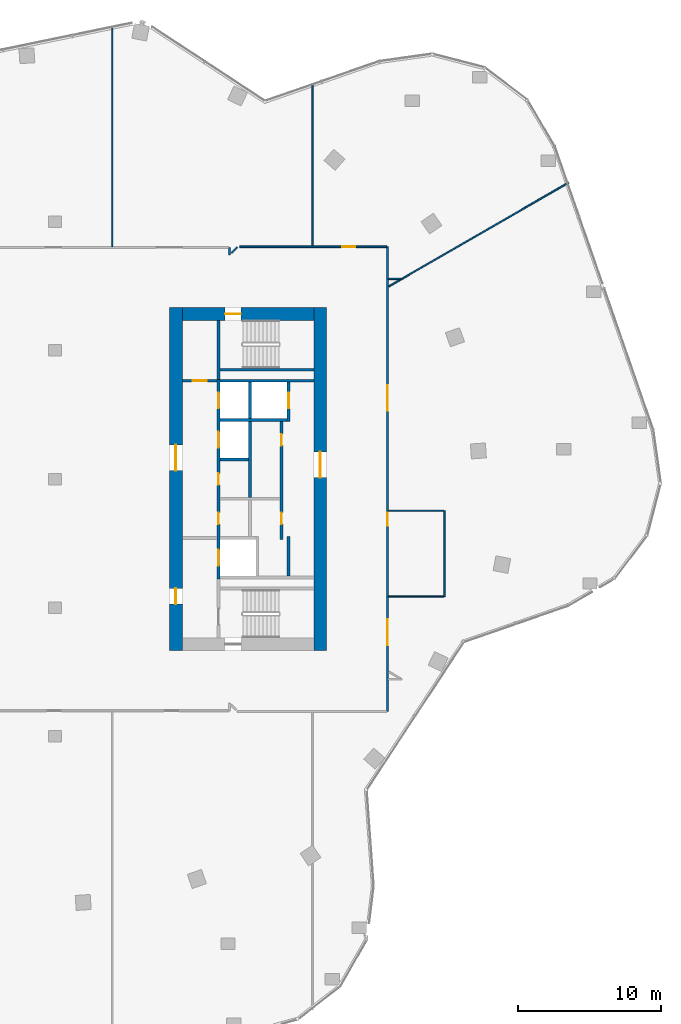
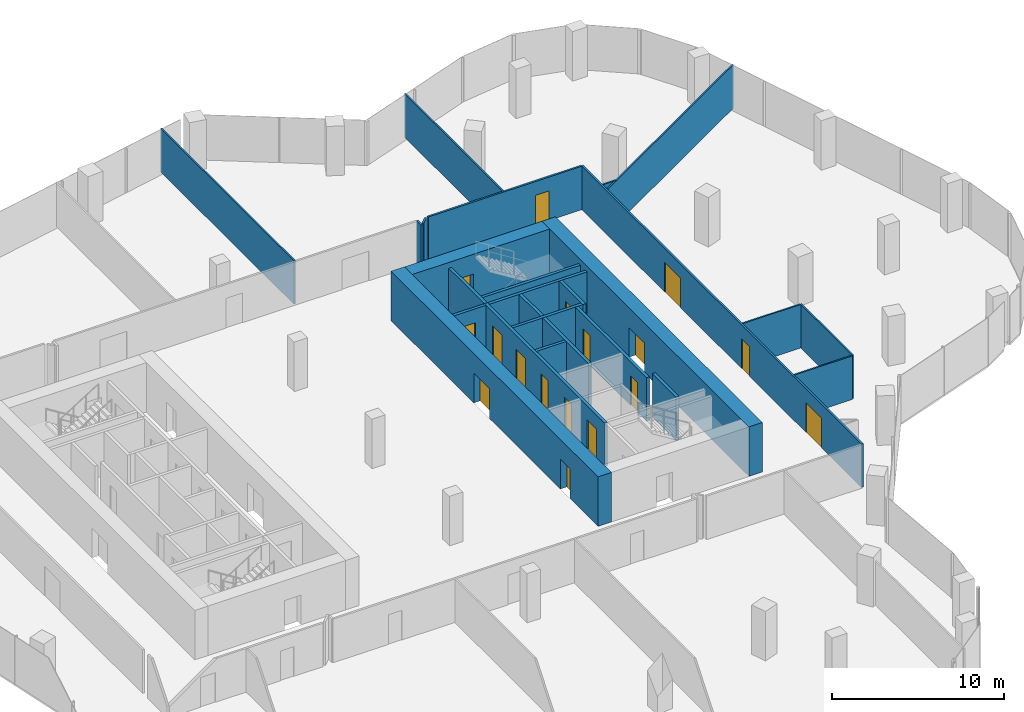
# One storey, part 20 of 24: 26 walls, 17 doors, 17 openings.
"""IFC4 building model written with IfcOpenShell, lengths in metres."""

from ifc_helpers import new_model, si_unit, direction, frame, frame_2d, origin, place, context, subcontext, project, spatial, rectangle, extrude, material, layer, layer_set, type_object, element, fill, save


model = new_model("IFC4")

# Units and contexts
model_context = context("Model", 3, precision=1e-05, world=origin(), true_north=direction((0.0, 1.0)))
body_context = subcontext(model_context, "Body", "Model", "MODEL_VIEW")
ifc_project = project(units=[si_unit("LENGTHUNIT", "METRE"), si_unit("AREAUNIT", "SQUARE_METRE"), si_unit("VOLUMEUNIT", "CUBIC_METRE"), si_unit("PLANEANGLEUNIT", "RADIAN"), si_unit("MASSUNIT", "GRAM", prefix="KILO")], contexts=[model_context])

# Site, building, storey
site_placement = place(None, origin())
site = spatial("IfcSite", under=ifc_project, at=site_placement, CompositionType="ELEMENT")
building_placement = place(site_placement, origin())
building = spatial("IfcBuilding", under=site, at=building_placement, Name="Orlundy Tower", CompositionType="ELEMENT")
storey_placement = place(building_placement, frame((0.0, 0.0, 235.5)))
storey = spatial("IfcBuildingStorey", under=building, at=storey_placement, Name="L62", CompositionType="ELEMENT", Elevation=235.5)

# Wall, opening, door
ifc_material_1 = material(Name="Concrete C60/75", Category="concrete")
ifc_layer_1 = layer(ifc_material_1, 0.89990234375)
ifc_layer_set_1 = layer_set([ifc_layer_1], Name="CORE WALL 900 C60/75")
wall_type_1 = type_object("IfcWallType", Name="CORE WALL 900 C60/75", PredefinedType="SHEAR", material=ifc_layer_set_1)
wall_1_placement = place(storey_placement, frame((8.89990234375, 11.550048828125, 0.0), z_axis=(0.0, 0.0, 1.0), x_axis=(1.0, 0.0, 0.0)))
wall_1 = element("IfcWall", 1, at=wall_1_placement, inside=storey, type_object=wall_type_1, Name="Core wall E-N L62", PredefinedType="SHEAR", context=body_context, shape_type="SweptSolid", body=[
    extrude(rectangle(XDim=9.2001953125, YDim=0.89990234375, at=frame_2d((4.60009765625, 0.0))), origin(), (0.0, 0.0, 1.0), 3.5),
])
opening_1_placement = place(wall_1_placement, frame((3.0, 0.0, 0.0)))
opening_1 = element("IfcOpeningElement", 2, at=opening_1_placement, cuts=wall_1, Name="Opening 48062", PredefinedType="OPENING", context=body_context, shape_type="SweptSolid", body=[
    extrude(rectangle(XDim=1.10009765625, YDim=2.10009765625, at=frame_2d((0.550048828125, 1.050048828125))), frame((0.0, 0.4599609375, 0.0), z_axis=(0.0, -1.0, 0.0), x_axis=(1.0, 0.0, 0.0)), (0.0, 0.0, 1.0), 0.919921875),
])
ifc_material_2 = material(Name="Steel door set", Category="steel")
door_type_1 = type_object("IfcDoorType", Name="Stair Door 1100x2100", OperationType="SINGLE_SWING_LEFT", PredefinedType="DOOR", material=ifc_material_2)
door_1_placement = place(opening_1_placement, origin())
door_1 = element("IfcDoor", 3, at=door_1_placement, inside=storey, type_object=door_type_1, Name="Stair door 48062", OperationType="SINGLE_SWING_LEFT", OverallHeight=2.10009765625, OverallWidth=1.10009765625, PredefinedType="DOOR", context=body_context, shape_type="SweptSolid", body=[
    extrude(rectangle(XDim=1.10009765625, YDim=2.10009765625, at=frame_2d((0.550048828125, 1.050048828125))), frame((0.0, 0.02490234375, 0.0), z_axis=(0.0, -1.0, 0.0), x_axis=(1.0, 0.0, 0.0)), (0.0, 0.0, 1.0), 0.050048828125),
])
fill(opening_1, door_1)

# Wall, openings, doors
wall_2_placement = place(storey_placement, frame((8.449951171875, -12.0, 0.0), z_axis=(0.0, 0.0, 1.0), x_axis=(0.0, 1.0, 0.0)))
wall_2 = element("IfcWall", 4, at=wall_2_placement, inside=storey, type_object=wall_type_1, Name="Core wall E-W L62", PredefinedType="SHEAR", context=body_context, shape_type="SweptSolid", body=[
    extrude(rectangle(XDim=24.0, YDim=0.89990234375, at=frame_2d((12.0, 0.0))), origin(), (0.0, 0.0, 1.0), 3.5),
])
opening_2_placement = place(wall_2_placement, frame((12.60009765625, 0.0, 0.0)))
opening_2 = element("IfcOpeningElement", 5, at=opening_2_placement, cuts=wall_2, Name="Opening 48058", PredefinedType="OPENING", context=body_context, shape_type="SweptSolid", body=[
    extrude(rectangle(XDim=1.800048828125, YDim=2.10009765625, at=frame_2d((0.89990234375, 1.050048828125))), frame((0.0, 0.4599609375, 0.0), z_axis=(0.0, -1.0, 0.0), x_axis=(1.0, 0.0, 0.0)), (0.0, 0.0, 1.0), 0.919921875),
])
opening_3_placement = place(wall_2_placement, frame((3.25, 0.0, 0.0)))
opening_3 = element("IfcOpeningElement", 6, at=opening_3_placement, cuts=wall_2, Name="Opening 48060", PredefinedType="OPENING", context=body_context, shape_type="SweptSolid", body=[
    extrude(rectangle(XDim=1.10009765625, YDim=2.10009765625, at=frame_2d((0.550048828125, 1.050048828125))), frame((0.0, 0.4599609375, 0.0), z_axis=(0.0, -1.0, 0.0), x_axis=(1.0, 0.0, 0.0)), (0.0, 0.0, 1.0), 0.919921875),
])
ifc_material_3 = material(Name="Steel door set", Category="steel")
door_type_2 = type_object("IfcDoorType", Name="Fire-fighting Lobby Door 1100x2100", OperationType="SINGLE_SWING_LEFT", PredefinedType="DOOR", material=ifc_material_3)
door_2_placement = place(opening_3_placement, origin())
door_2 = element("IfcDoor", 7, at=door_2_placement, inside=storey, type_object=door_type_2, Name="Fire-fighting lobby door 48060", OperationType="SINGLE_SWING_LEFT", OverallHeight=2.10009765625, OverallWidth=1.10009765625, PredefinedType="DOOR", context=body_context, shape_type="SweptSolid", body=[
    extrude(rectangle(XDim=1.10009765625, YDim=2.10009765625, at=frame_2d((0.550048828125, 1.050048828125))), frame((0.0, 0.02490234375, 0.0), z_axis=(0.0, -1.0, 0.0), x_axis=(1.0, 0.0, 0.0)), (0.0, 0.0, 1.0), 0.050048828125),
])
fill(opening_3, door_2)
ifc_material_4 = material(Name="Timber door set", Category="wood")
door_type_3 = type_object("IfcDoorType", Name="Lobby Door 1800x2100", OperationType="DOUBLE_DOOR_DOUBLE_SWING", PredefinedType="DOOR", material=ifc_material_4)
door_3_placement = place(opening_2_placement, origin())
door_3 = element("IfcDoor", 8, at=door_3_placement, inside=storey, type_object=door_type_3, Name="Lift lobby door 48058", OperationType="SINGLE_SWING_RIGHT", OverallHeight=2.10009765625, OverallWidth=1.800048828125, PredefinedType="DOOR", context=body_context, shape_type="SweptSolid", body=[
    extrude(rectangle(XDim=1.800048828125, YDim=2.10009765625, at=frame_2d((0.89990234375, 1.050048828125))), frame((0.0, 0.02490234375, 0.0), z_axis=(0.0, -1.0, 0.0), x_axis=(1.0, 0.0, 0.0)), (0.0, 0.0, 1.0), 0.050048828125),
])
fill(opening_2, door_3)

# Wall, opening, door
wall_3_placement = place(storey_placement, frame((18.550048828125, -12.0, 0.0), z_axis=(0.0, 0.0, 1.0), x_axis=(0.0, 1.0, 0.0)))
wall_3 = element("IfcWall", 9, at=wall_3_placement, inside=storey, type_object=wall_type_1, Name="Core wall E-E L62", PredefinedType="SHEAR", context=body_context, shape_type="SweptSolid", body=[
    extrude(rectangle(XDim=24.0, YDim=0.89990234375, at=frame_2d((12.0, 0.0))), origin(), (0.0, 0.0, 1.0), 3.5),
])
opening_4_placement = place(wall_3_placement, frame((12.10009765625, 0.0, 0.0)))
opening_4 = element("IfcOpeningElement", 10, at=opening_4_placement, cuts=wall_3, Name="Opening 48059", PredefinedType="OPENING", context=body_context, shape_type="SweptSolid", body=[
    extrude(rectangle(XDim=1.800048828125, YDim=2.10009765625, at=frame_2d((0.89990234375, 1.050048828125))), frame((0.0, 0.4599609375, 0.0), z_axis=(0.0, -1.0, 0.0), x_axis=(1.0, 0.0, 0.0)), (0.0, 0.0, 1.0), 0.919921875),
])
door_4_placement = place(opening_4_placement, origin())
door_4 = element("IfcDoor", 11, at=door_4_placement, inside=storey, type_object=door_type_3, Name="Lift lobby door 48059", OperationType="SINGLE_SWING_RIGHT", OverallHeight=2.10009765625, OverallWidth=1.800048828125, PredefinedType="DOOR", context=body_context, shape_type="SweptSolid", body=[
    extrude(rectangle(XDim=1.800048828125, YDim=2.10009765625, at=frame_2d((0.89990234375, 1.050048828125))), frame((0.0, 0.02490234375, 0.0), z_axis=(0.0, -1.0, 0.0), x_axis=(1.0, 0.0, 0.0)), (0.0, 0.0, 1.0), 0.050048828125),
])
fill(opening_4, door_4)

# Walls
ifc_material_5 = material(Name="Gypsum board partition")
ifc_layer_2 = layer(ifc_material_5, 0.10009765625)
ifc_layer_set_2 = layer_set([ifc_layer_2], Name="Floor partition 100")
wall_type_2 = type_object("IfcWallType", Name="Floor partition 100", PredefinedType="PARTITIONING", material=ifc_layer_set_2)
for number, where, z_axis, x_axis, name in (
    (12, (23.31396484375, -8.212890625, 0.0), (0.0, 0.0, 1.0), (1.0, 0.0, 0.0), "wall-int-L62-010"),
    (13, (23.31396484375, -2.2119140625, 0.0), (0.0, 0.0, 1.0), (1.0, 0.0, 0.0), "wall-int-L62-011"),
):
    element("IfcWall", number, at=place(storey_placement, frame(where, z_axis=z_axis, x_axis=x_axis)), inside=storey, type_object=wall_type_2, Name=name, PredefinedType="PARTITIONING", context=body_context, shape_type="SweptSolid", body=[
        extrude(rectangle(XDim=3.885009765625, YDim=0.10009765625, at=frame_2d((1.9423828125, 0.0))), origin(), (0.0, 0.0, 1.0), 3.080078125),
    ])
wall_4_placement = place(storey_placement, frame((23.31396484375, 14.0, 0.0), z_axis=(0.0, 0.0, 1.0), x_axis=(1.0, 0.0, 0.0)))
element("IfcWall", 14, at=wall_4_placement, inside=storey, type_object=wall_type_2, Name="wall-int-L62-015", PredefinedType="PARTITIONING", context=body_context, shape_type="SweptSolid", body=[
    extrude(rectangle(XDim=0.885009765625, YDim=0.10009765625, at=frame_2d((0.4423828125, 0.0))), origin(), (0.0, 0.0, 1.0), 3.080078125),
])
wall_5_placement = place(storey_placement, frame((23.337890625, 13.47412109375, 0.0), z_axis=(0.0, 0.0, 1.0), x_axis=(0.866095287821, 0.499878937759, 0.0)))
element("IfcWall", 15, at=wall_5_placement, inside=storey, type_object=wall_type_2, Name="wall-int-L62-019", PredefinedType="PARTITIONING", context=body_context, shape_type="SweptSolid", body=[
    extrude(rectangle(XDim=14.541015625, YDim=0.10009765625, at=frame_2d((7.2705078125, 0.0))), origin(), (0.0, 0.0, 1.0), 3.080078125),
])
wall_6_placement = place(storey_placement, frame((27.2490234375, -8.212890625, 0.0), z_axis=(0.0, 0.0, 1.0), x_axis=(0.0, 1.0, 0.0)))
element("IfcWall", 16, at=wall_6_placement, inside=storey, type_object=wall_type_2, Name="wall-int-L62-023", PredefinedType="PARTITIONING", context=body_context, shape_type="SweptSolid", body=[
    extrude(rectangle(XDim=6.0009765625, YDim=0.10009765625, at=frame_2d((3.00048828125, 0.0))), origin(), (0.0, 0.0, 1.0), 3.080078125),
])
wall_7_placement = place(storey_placement, frame((18.0, 16.31201171875, 0.0), z_axis=(0.0, 0.0, 1.0), x_axis=(0.0, 1.0, 0.0)))
element("IfcWall", 17, at=wall_7_placement, inside=storey, type_object=wall_type_2, Name="wall-int-L62-026", PredefinedType="PARTITIONING", context=body_context, shape_type="SweptSolid", body=[
    extrude(rectangle(XDim=11.383056640625, YDim=0.10009765625, at=frame_2d((5.69140625, 0.0))), origin(), (0.0, 0.0, 1.0), 3.080078125),
])
wall_8_placement = place(storey_placement, frame((4.0, 16.261962890625, 0.0), z_axis=(0.0, 0.0, 1.0), x_axis=(0.0, 1.0, 0.0)))
element("IfcWall", 18, at=wall_8_placement, inside=storey, type_object=wall_type_2, Name="wall-int-L62-030", PredefinedType="PARTITIONING", context=body_context, shape_type="SweptSolid", body=[
    extrude(rectangle(XDim=15.4521484375, YDim=0.10009765625, at=frame_2d((7.72607421875, 0.0))), origin(), (0.0, 0.0, 1.0), 3.080078125),
])

# Wall, opening, door
ifc_material_6 = material(Name="Gypsum board partition, double layer")
ifc_layer_3 = layer(ifc_material_6, 0.125)
ifc_layer_set_3 = layer_set([ifc_layer_3], Name="Floor partition 125")
wall_type_3 = type_object("IfcWallType", Name="Floor partition 125", PredefinedType="PARTITIONING", material=ifc_layer_set_3)
wall_9_placement = place(storey_placement, frame((12.909912109375, 16.25, 0.0), z_axis=(0.0, 0.0, 1.0), x_axis=(1.0, 0.0, 0.0)))
wall_9 = element("IfcWall", 19, at=wall_9_placement, inside=storey, type_object=wall_type_3, Name="wall-int-L62-018", PredefinedType="PARTITIONING", context=body_context, shape_type="SweptSolid", body=[
    extrude(rectangle(XDim=10.279052734375, YDim=0.125, at=frame_2d((5.1396484375, 0.0))), origin(), (0.0, 0.0, 1.0), 3.080078125),
])
opening_5_placement = place(wall_9_placement, frame((7.190185546875, 0.0, 0.0)))
opening_5 = element("IfcOpeningElement", 20, at=opening_5_placement, cuts=wall_9, Name="Opening 48107", PredefinedType="OPENING", context=body_context, shape_type="SweptSolid", body=[
    extrude(rectangle(XDim=0.89990234375, YDim=2.10009765625, at=frame_2d((0.449951171875, 1.050048828125))), frame((0.0, 0.072509765625, 0.0), z_axis=(0.0, -1.0, 0.0), x_axis=(1.0, 0.0, 0.0)), (0.0, 0.0, 1.0), 0.14501953125),
])
ifc_material_7 = material(Name="Timber door leaf", Category="wood")
door_type_4 = type_object("IfcDoorType", Name="Floor door single 900 FD30S", OperationType="NOTDEFINED", PredefinedType="DOOR", material=ifc_material_7)
door_5_placement = place(opening_5_placement, origin())
door_5 = element("IfcDoor", 21, at=door_5_placement, inside=storey, type_object=door_type_4, Name="Door 48107", OperationType="SINGLE_SWING_RIGHT", OverallHeight=2.10009765625, OverallWidth=0.89990234375, PredefinedType="DOOR", context=body_context, shape_type="SweptSolid", body=[
    extrude(rectangle(XDim=0.89990234375, YDim=2.10009765625, at=frame_2d((0.449951171875, 1.050048828125))), frame((0.0, 0.02490234375, 0.0), z_axis=(0.0, -1.0, 0.0), x_axis=(1.0, 0.0, 0.0)), (0.0, 0.0, 1.0), 0.050048828125),
])
fill(opening_5, door_5)

# Wall
wall_10_placement = place(storey_placement, frame((12.3291015625, 15.806884765625, 0.0), z_axis=(0.0, 0.0, 1.0), x_axis=(0.706903150737, 0.707310353012, 0.0)))
element("IfcWall", 22, at=wall_10_placement, inside=storey, type_object=wall_type_3, Name="wall-int-L62-021", PredefinedType="PARTITIONING", context=body_context, shape_type="SweptSolid", body=[
    extrude(rectangle(XDim=0.599609375, YDim=0.125, at=frame_2d((0.2998046875, 0.0))), origin(), (0.0, 0.0, 1.0), 3.080078125),
])

# Wall, openings, doors
wall_11_placement = place(storey_placement, frame((23.2509765625, 16.25, 0.0), z_axis=(0.0, 0.0, 1.0), x_axis=(0.0, -1.0, 0.0)))
wall_11 = element("IfcWall", 23, at=wall_11_placement, inside=storey, type_object=wall_type_3, Name="wall-int-L62-024", PredefinedType="PARTITIONING", context=body_context, shape_type="SweptSolid", body=[
    extrude(rectangle(XDim=32.5, YDim=0.125, at=frame_2d((16.25, 0.0))), origin(), (0.0, 0.0, 1.0), 3.080078125),
])
opening_6_placement = place(wall_11_placement, frame((26.06298828125, 0.0, 0.0)))
opening_6 = element("IfcOpeningElement", 24, at=opening_6_placement, cuts=wall_11, Name="Opening 48105", PredefinedType="OPENING", context=body_context, shape_type="SweptSolid", body=[
    extrude(rectangle(XDim=1.800048828125, YDim=2.10009765625, at=frame_2d((0.89990234375, 1.050048828125))), frame((0.0, 0.072509765625, 0.0), z_axis=(0.0, -1.0, 0.0), x_axis=(1.0, 0.0, 0.0)), (0.0, 0.0, 1.0), 0.14501953125),
])
opening_7_placement = place(wall_11_placement, frame((9.676025390625, 0.0, 0.0)))
opening_7 = element("IfcOpeningElement", 25, at=opening_7_placement, cuts=wall_11, Name="Opening 48106", PredefinedType="OPENING", context=body_context, shape_type="SweptSolid", body=[
    extrude(rectangle(XDim=1.800048828125, YDim=2.10009765625, at=frame_2d((0.89990234375, 1.050048828125))), frame((0.0, 0.072509765625, 0.0), z_axis=(0.0, -1.0, 0.0), x_axis=(1.0, 0.0, 0.0)), (0.0, 0.0, 1.0), 0.14501953125),
])
opening_8_placement = place(wall_11_placement, frame((18.60009765625, 0.0, 0.0)))
opening_8 = element("IfcOpeningElement", 26, at=opening_8_placement, cuts=wall_11, Name="Opening 48113", PredefinedType="OPENING", context=body_context, shape_type="SweptSolid", body=[
    extrude(rectangle(XDim=0.89990234375, YDim=2.10009765625, at=frame_2d((0.449951171875, 1.050048828125))), frame((0.0, 0.072509765625, 0.0), z_axis=(0.0, -1.0, 0.0), x_axis=(1.0, 0.0, 0.0)), (0.0, 0.0, 1.0), 0.14501953125),
])
ifc_material_8 = material(Name="Timber door leaf", Category="wood")
door_type_5 = type_object("IfcDoorType", Name="Floor door double 1800 FD30S", OperationType="NOTDEFINED", PredefinedType="DOOR", material=ifc_material_8)
door_6_placement = place(opening_6_placement, origin())
door_6 = element("IfcDoor", 27, at=door_6_placement, inside=storey, type_object=door_type_5, Name="Door 48105", OperationType="DOUBLE_DOOR_SINGLE_SWING", OverallHeight=2.10009765625, OverallWidth=1.800048828125, PredefinedType="DOOR", context=body_context, shape_type="SweptSolid", body=[
    extrude(rectangle(XDim=1.800048828125, YDim=2.10009765625, at=frame_2d((0.89990234375, 1.050048828125))), frame((0.0, 0.02490234375, 0.0), z_axis=(0.0, -1.0, 0.0), x_axis=(1.0, 0.0, 0.0)), (0.0, 0.0, 1.0), 0.050048828125),
])
fill(opening_6, door_6)
door_7_placement = place(opening_7_placement, origin())
door_7 = element("IfcDoor", 28, at=door_7_placement, inside=storey, type_object=door_type_5, Name="Door 48106", OperationType="DOUBLE_DOOR_SINGLE_SWING", OverallHeight=2.10009765625, OverallWidth=1.800048828125, PredefinedType="DOOR", context=body_context, shape_type="SweptSolid", body=[
    extrude(rectangle(XDim=1.800048828125, YDim=2.10009765625, at=frame_2d((0.89990234375, 1.050048828125))), frame((0.0, 0.02490234375, 0.0), z_axis=(0.0, -1.0, 0.0), x_axis=(1.0, 0.0, 0.0)), (0.0, 0.0, 1.0), 0.050048828125),
])
fill(opening_7, door_7)
door_8_placement = place(opening_8_placement, origin())
door_8 = element("IfcDoor", 29, at=door_8_placement, inside=storey, type_object=door_type_4, Name="Door 48113", OperationType="SINGLE_SWING_RIGHT", OverallHeight=2.10009765625, OverallWidth=0.89990234375, PredefinedType="DOOR", context=body_context, shape_type="SweptSolid", body=[
    extrude(rectangle(XDim=0.89990234375, YDim=2.10009765625, at=frame_2d((0.449951171875, 1.050048828125))), frame((0.0, 0.02490234375, 0.0), z_axis=(0.0, -1.0, 0.0), x_axis=(1.0, 0.0, 0.0)), (0.0, 0.0, 1.0), 0.050048828125),
])
fill(opening_8, door_8)

# Walls
wall_12_placement = place(storey_placement, frame((12.200927734375, 15.69189453125, 0.0), z_axis=(0.0, 0.0, 1.0), x_axis=(0.0, 1.0, 0.0)))
element("IfcWall", 30, at=wall_12_placement, inside=storey, type_object=wall_type_3, Name="wall-int-L62-028", PredefinedType="PARTITIONING", context=body_context, shape_type="SweptSolid", body=[
    extrude(rectangle(XDim=0.508056640625, YDim=0.125, at=frame_2d((0.25390625, 0.0))), origin(), (0.0, 0.0, 1.0), 3.080078125),
])
ifc_material_9 = material(Name="Concrete C40/50", Category="concrete")
ifc_layer_4 = layer(ifc_material_9, 0.199951171875)
ifc_layer_set_4 = layer_set([ifc_layer_4], Name="Load-bearing Shaft Wall 200")
wall_type_4 = type_object("IfcWallType", Name="Load-bearing Shaft Wall 200", PredefinedType="SOLIDWALL", material=ifc_layer_set_4)
wall_13_placement = place(storey_placement, frame((11.43994140625, 11.10009765625, 0.0), z_axis=(0.0, 0.0, 1.0), x_axis=(0.0, -1.0, 0.0)))
element("IfcWall", 31, at=wall_13_placement, inside=storey, type_object=wall_type_4, Name="Shaft wall E48-stair-end-s", PredefinedType="SOLIDWALL", context=body_context, shape_type="SweptSolid", body=[
    extrude(rectangle(XDim=4.125, YDim=0.199951171875, at=frame_2d((2.0625, 0.0))), origin(), (0.0, 0.0, 1.0), 3.090087890625),
])
wall_14_placement = place(storey_placement, frame((11.5400390625, 7.64990234375, 0.0), z_axis=(0.0, 0.0, 1.0), x_axis=(1.0, 0.0, 0.0)))
element("IfcWall", 32, at=wall_14_placement, inside=storey, type_object=wall_type_4, Name="Shaft wall E48-stair-side-s", PredefinedType="SOLIDWALL", context=body_context, shape_type="SweptSolid", body=[
    extrude(rectangle(XDim=6.56005859375, YDim=0.199951171875, at=frame_2d((3.280029296875, 0.0))), origin(), (0.0, 0.0, 1.0), 3.090087890625),
])

# Wall, opening, door
ifc_material_10 = material(Name="Gypsum board partition on steel studs", Category="steel")
ifc_layer_5 = layer(ifc_material_10, 0.199951171875)
ifc_layer_set_5 = layer_set([ifc_layer_5], Name="Partition 200")
wall_type_5 = type_object("IfcWallType", Name="Partition 200", PredefinedType="PARTITIONING", material=ifc_layer_set_5)
wall_15_placement = place(storey_placement, frame((8.89990234375, 6.875, 0.0), z_axis=(0.0, 0.0, 1.0), x_axis=(1.0, 0.0, 0.0)))
wall_15 = element("IfcWall", 33, at=wall_15_placement, inside=storey, type_object=wall_type_5, Name="Partition wall E48-end-s", PredefinedType="PARTITIONING", context=body_context, shape_type="SweptSolid", body=[
    extrude(rectangle(XDim=2.440185546875, YDim=0.199951171875, at=frame_2d((1.22021484375, 0.0))), origin(), (0.0, 0.0, 1.0), 3.090087890625),
])
opening_9_placement = place(wall_15_placement, frame((0.719970703125, 0.0, 0.0)))
opening_9 = element("IfcOpeningElement", 34, at=opening_9_placement, cuts=wall_15, Name="Opening 48064", PredefinedType="OPENING", context=body_context, shape_type="SweptSolid", body=[
    extrude(rectangle(XDim=1.0, YDim=2.10009765625, at=frame_2d((0.5, 1.050048828125))), frame((0.0, 0.110107421875, 0.0), z_axis=(0.0, -1.0, 0.0), x_axis=(1.0, 0.0, 0.0)), (0.0, 0.0, 1.0), 0.22021484375),
])
ifc_material_11 = material(Name="Timber door set", Category="wood")
door_type_6 = type_object("IfcDoorType", Name="Accessible Door 1000x2100", OperationType="SINGLE_SWING_LEFT", PredefinedType="DOOR", material=ifc_material_11)
door_9_placement = place(opening_9_placement, origin())
door_9 = element("IfcDoor", 35, at=door_9_placement, inside=storey, type_object=door_type_6, Name="Accessible WC door 48064", OperationType="SINGLE_SWING_RIGHT", OverallHeight=2.10009765625, OverallWidth=1.0, PredefinedType="DOOR", context=body_context, shape_type="SweptSolid", body=[
    extrude(rectangle(XDim=1.0, YDim=2.10009765625, at=frame_2d((0.5, 1.050048828125))), frame((0.0, 0.02490234375, 0.0), z_axis=(0.0, -1.0, 0.0), x_axis=(1.0, 0.0, 0.0)), (0.0, 0.0, 1.0), 0.050048828125),
])
fill(opening_9, door_9)

# Walls
ifc_material_12 = material(Name="Fire-rated blockwork shaft wall", Category="masonry")
ifc_layer_6 = layer(ifc_material_12, 0.199951171875)
ifc_layer_set_6 = layer_set([ifc_layer_6], Name="Shaft Wall 200")
wall_type_6 = type_object("IfcWallType", Name="Shaft Wall 200", PredefinedType="SOLIDWALL", material=ifc_layer_set_6)
wall_16_placement = place(storey_placement, frame((11.5400390625, 6.875, 0.0), z_axis=(0.0, 0.0, 1.0), x_axis=(1.0, 0.0, 0.0)))
element("IfcWall", 36, at=wall_16_placement, inside=storey, type_object=wall_type_6, Name="Shaft wall E48-zone-s", PredefinedType="SOLIDWALL", context=body_context, shape_type="SweptSolid", body=[
    extrude(rectangle(XDim=6.56005859375, YDim=0.199951171875, at=frame_2d((3.280029296875, 0.0))), origin(), (0.0, 0.0, 1.0), 3.090087890625),
])
wall_17_placement = place(storey_placement, frame((11.5400390625, 4.125, 0.0), z_axis=(0.0, 0.0, 1.0), x_axis=(1.0, 0.0, 0.0)))
element("IfcWall", 37, at=wall_17_placement, inside=storey, type_object=wall_type_6, Name="Shaft wall E48-cross-4.125", PredefinedType="SOLIDWALL", context=body_context, shape_type="SweptSolid", body=[
    extrude(rectangle(XDim=4.699951171875, YDim=0.199951171875, at=frame_2d((2.35009765625, 0.0))), origin(), (0.0, 0.0, 1.0), 3.090087890625),
])
wall_18_placement = place(storey_placement, frame((11.5400390625, 1.375, 0.0), z_axis=(0.0, 0.0, 1.0), x_axis=(1.0, 0.0, 0.0)))
element("IfcWall", 38, at=wall_18_placement, inside=storey, type_object=wall_type_6, Name="Shaft wall E48-cross-1.375", PredefinedType="SOLIDWALL", context=body_context, shape_type="SweptSolid", body=[
    extrude(rectangle(XDim=2.0, YDim=0.199951171875, at=frame_2d((1.0, 0.0))), origin(), (0.0, 0.0, 1.0), 3.090087890625),
])

# Wall, openings, doors
wall_19_placement = place(storey_placement, frame((11.43994140625, 6.97509765625, 0.0), z_axis=(0.0, 0.0, 1.0), x_axis=(0.0, -1.0, 0.0)))
wall_19 = element("IfcWall", 39, at=wall_19_placement, inside=storey, type_object=wall_type_6, Name="Shaft wall E48-front-h", PredefinedType="SOLIDWALL", context=body_context, shape_type="SweptSolid", body=[
    extrude(rectangle(XDim=13.9501953125, YDim=0.199951171875, at=frame_2d((6.97509765625, 0.0))), origin(), (0.0, 0.0, 1.0), 3.090087890625),
])
opening_10_placement = place(wall_19_placement, frame((0.925048828125, 0.0, 0.0)))
opening_10 = element("IfcOpeningElement", 40, at=opening_10_placement, cuts=wall_19, Name="Opening 48050", PredefinedType="OPENING", context=body_context, shape_type="SweptSolid", body=[
    extrude(rectangle(XDim=1.10009765625, YDim=2.10009765625, at=frame_2d((0.550048828125, 1.050048828125))), frame((0.0, 0.110107421875, 0.0), z_axis=(0.0, -1.0, 0.0), x_axis=(1.0, 0.0, 0.0)), (0.0, 0.0, 1.0), 0.22021484375),
])
opening_11_placement = place(wall_19_placement, frame((3.675048828125, 0.0, 0.0)))
opening_11 = element("IfcOpeningElement", 41, at=opening_11_placement, cuts=wall_19, Name="Opening 48052", PredefinedType="OPENING", context=body_context, shape_type="SweptSolid", body=[
    extrude(rectangle(XDim=1.10009765625, YDim=2.10009765625, at=frame_2d((0.550048828125, 1.050048828125))), frame((0.0, 0.110107421875, 0.0), z_axis=(0.0, -1.0, 0.0), x_axis=(1.0, 0.0, 0.0)), (0.0, 0.0, 1.0), 0.22021484375),
])
opening_12_placement = place(wall_19_placement, frame((11.925048828125, 0.0, 0.0)))
opening_12 = element("IfcOpeningElement", 42, at=opening_12_placement, cuts=wall_19, Name="Opening 48053", PredefinedType="OPENING", context=body_context, shape_type="SweptSolid", body=[
    extrude(rectangle(XDim=1.10009765625, YDim=2.10009765625, at=frame_2d((0.550048828125, 1.050048828125))), frame((0.0, 0.110107421875, 0.0), z_axis=(0.0, -1.0, 0.0), x_axis=(1.0, 0.0, 0.0)), (0.0, 0.0, 1.0), 0.22021484375),
])
opening_13_placement = place(wall_19_placement, frame((6.574951171875, 0.0, 0.0)))
opening_13 = element("IfcOpeningElement", 43, at=opening_13_placement, cuts=wall_19, Name="Opening 48055", PredefinedType="OPENING", context=body_context, shape_type="SweptSolid", body=[
    extrude(rectangle(XDim=0.800048828125, YDim=2.10009765625, at=frame_2d((0.39990234375, 1.050048828125))), frame((0.0, 0.110107421875, 0.0), z_axis=(0.0, -1.0, 0.0), x_axis=(1.0, 0.0, 0.0)), (0.0, 0.0, 1.0), 0.22021484375),
])
opening_14_placement = place(wall_19_placement, frame((9.324951171875, 0.0, 0.0)))
opening_14 = element("IfcOpeningElement", 44, at=opening_14_placement, cuts=wall_19, Name="Opening 48056", PredefinedType="OPENING", context=body_context, shape_type="SweptSolid", body=[
    extrude(rectangle(XDim=0.800048828125, YDim=2.10009765625, at=frame_2d((0.39990234375, 1.050048828125))), frame((0.0, 0.110107421875, 0.0), z_axis=(0.0, -1.0, 0.0), x_axis=(1.0, 0.0, 0.0)), (0.0, 0.0, 1.0), 0.22021484375),
])
ifc_material_13 = material(Name="Steel door set", Category="steel")
door_type_7 = type_object("IfcDoorType", Name="Landing Door 1100x2100", OperationType="DOUBLE_DOOR_SLIDING", PredefinedType="DOOR", material=ifc_material_13)
door_10_placement = place(opening_10_placement, origin())
door_10 = element("IfcDoor", 45, at=door_10_placement, inside=storey, type_object=door_type_7, Name="Lift landing door LP-24 48050", OperationType="DOUBLE_DOOR_SLIDING", OverallHeight=2.10009765625, OverallWidth=1.10009765625, PredefinedType="DOOR", context=body_context, shape_type="SweptSolid", body=[
    extrude(rectangle(XDim=1.10009765625, YDim=2.10009765625, at=frame_2d((0.550048828125, 1.050048828125))), frame((0.0, 0.02490234375, 0.0), z_axis=(0.0, -1.0, 0.0), x_axis=(1.0, 0.0, 0.0)), (0.0, 0.0, 1.0), 0.050048828125),
])
fill(opening_10, door_10)
door_11_placement = place(opening_11_placement, origin())
door_11 = element("IfcDoor", 46, at=door_11_placement, inside=storey, type_object=door_type_7, Name="Lift landing door LP-23 48052", OperationType="DOUBLE_DOOR_SLIDING", OverallHeight=2.10009765625, OverallWidth=1.10009765625, PredefinedType="DOOR", context=body_context, shape_type="SweptSolid", body=[
    extrude(rectangle(XDim=1.10009765625, YDim=2.10009765625, at=frame_2d((0.550048828125, 1.050048828125))), frame((0.0, 0.02490234375, 0.0), z_axis=(0.0, -1.0, 0.0), x_axis=(1.0, 0.0, 0.0)), (0.0, 0.0, 1.0), 0.050048828125),
])
fill(opening_11, door_11)
door_12_placement = place(opening_12_placement, origin())
door_12 = element("IfcDoor", 47, at=door_12_placement, inside=storey, type_object=door_type_7, Name="Lift landing door FL2 48053", OperationType="DOUBLE_DOOR_SLIDING", OverallHeight=2.10009765625, OverallWidth=1.10009765625, PredefinedType="DOOR", context=body_context, shape_type="SweptSolid", body=[
    extrude(rectangle(XDim=1.10009765625, YDim=2.10009765625, at=frame_2d((0.550048828125, 1.050048828125))), frame((0.0, 0.02490234375, 0.0), z_axis=(0.0, -1.0, 0.0), x_axis=(1.0, 0.0, 0.0)), (0.0, 0.0, 1.0), 0.050048828125),
])
fill(opening_12, door_12)
ifc_material_14 = material(Name="Timber door set", Category="wood")
door_type_8 = type_object("IfcDoorType", Name="Riser Door 800x2100", OperationType="SINGLE_SWING_LEFT", PredefinedType="DOOR", material=ifc_material_14)
door_13_placement = place(opening_13_placement, origin())
door_13 = element("IfcDoor", 48, at=door_13_placement, inside=storey, type_object=door_type_8, Name="Security Store door 48055", OperationType="SINGLE_SWING_LEFT", OverallHeight=2.10009765625, OverallWidth=0.800048828125, PredefinedType="DOOR", context=body_context, shape_type="SweptSolid", body=[
    extrude(rectangle(XDim=0.800048828125, YDim=2.10009765625, at=frame_2d((0.39990234375, 1.050048828125))), frame((0.0, 0.02490234375, 0.0), z_axis=(0.0, -1.0, 0.0), x_axis=(1.0, 0.0, 0.0)), (0.0, 0.0, 1.0), 0.050048828125),
])
fill(opening_13, door_13)
door_14_placement = place(opening_14_placement, origin())
door_14 = element("IfcDoor", 49, at=door_14_placement, inside=storey, type_object=door_type_8, Name="Furniture Store door 48056", OperationType="SINGLE_SWING_LEFT", OverallHeight=2.10009765625, OverallWidth=0.800048828125, PredefinedType="DOOR", context=body_context, shape_type="SweptSolid", body=[
    extrude(rectangle(XDim=0.800048828125, YDim=2.10009765625, at=frame_2d((0.39990234375, 1.050048828125))), frame((0.0, 0.02490234375, 0.0), z_axis=(0.0, -1.0, 0.0), x_axis=(1.0, 0.0, 0.0)), (0.0, 0.0, 1.0), 0.050048828125),
])
fill(opening_14, door_14)

# Walls
wall_20_placement = place(storey_placement, frame((13.639892578125, 6.77490234375, 0.0), z_axis=(0.0, 0.0, 1.0), x_axis=(0.0, -1.0, 0.0)))
element("IfcWall", 50, at=wall_20_placement, inside=storey, type_object=wall_type_6, Name="Shaft wall E48-mid-a", PredefinedType="SOLIDWALL", context=body_context, shape_type="SweptSolid", body=[
    extrude(rectangle(XDim=2.5498046875, YDim=0.199951171875, at=frame_2d((1.27490234375, 0.0))), origin(), (0.0, 0.0, 1.0), 3.090087890625),
])
wall_21_placement = place(storey_placement, frame((13.639892578125, 4.02490234375, 0.0), z_axis=(0.0, 0.0, 1.0), x_axis=(0.0, -1.0, 0.0)))
element("IfcWall", 51, at=wall_21_placement, inside=storey, type_object=wall_type_6, Name="Shaft wall E48-mid-a.1", PredefinedType="SOLIDWALL", context=body_context, shape_type="SweptSolid", body=[
    extrude(rectangle(XDim=5.2998046875, YDim=0.199951171875, at=frame_2d((2.64990234375, 0.0))), origin(), (0.0, 0.0, 1.0), 3.090087890625),
])

# Wall, opening, door
wall_22_placement = place(storey_placement, frame((16.340087890625, 6.77490234375, 0.0), z_axis=(0.0, 0.0, 1.0), x_axis=(0.0, -1.0, 0.0)))
wall_22 = element("IfcWall", 52, at=wall_22_placement, inside=storey, type_object=wall_type_6, Name="Shaft wall E48-front-o-a", PredefinedType="SOLIDWALL", context=body_context, shape_type="SweptSolid", body=[
    extrude(rectangle(XDim=2.75, YDim=0.199951171875, at=frame_2d((1.375, 0.0))), origin(), (0.0, 0.0, 1.0), 3.090087890625),
])
opening_15_placement = place(wall_22_placement, frame((0.72509765625, 0.0, 0.0)))
opening_15 = element("IfcOpeningElement", 53, at=opening_15_placement, cuts=wall_22, Name="Opening 48051", PredefinedType="OPENING", context=body_context, shape_type="SweptSolid", body=[
    extrude(rectangle(XDim=1.10009765625, YDim=2.10009765625, at=frame_2d((0.550048828125, 1.050048828125))), frame((0.0, 0.110107421875, 0.0), z_axis=(0.0, -1.0, 0.0), x_axis=(1.0, 0.0, 0.0)), (0.0, 0.0, 1.0), 0.22021484375),
])
door_15_placement = place(opening_15_placement, origin())
door_15 = element("IfcDoor", 54, at=door_15_placement, inside=storey, type_object=door_type_7, Name="Lift landing door LV-02 48051", OperationType="DOUBLE_DOOR_SLIDING", OverallHeight=2.10009765625, OverallWidth=1.10009765625, PredefinedType="DOOR", context=body_context, shape_type="SweptSolid", body=[
    extrude(rectangle(XDim=1.10009765625, YDim=2.10009765625, at=frame_2d((0.550048828125, 1.050048828125))), frame((0.0, 0.02490234375, 0.0), z_axis=(0.0, -1.0, 0.0), x_axis=(1.0, 0.0, 0.0)), (0.0, 0.0, 1.0), 0.050048828125),
])
fill(opening_15, door_15)

# Wall, openings, doors
wall_23_placement = place(storey_placement, frame((15.840087890625, 4.02490234375, 0.0), z_axis=(0.0, 0.0, 1.0), x_axis=(0.0, -1.0, 0.0)))
wall_23 = element("IfcWall", 55, at=wall_23_placement, inside=storey, type_object=wall_type_6, Name="Shaft wall E48-front-o-b", PredefinedType="SOLIDWALL", context=body_context, shape_type="SweptSolid", body=[
    extrude(rectangle(XDim=8.25, YDim=0.199951171875, at=frame_2d((4.125, 0.0))), origin(), (0.0, 0.0, 1.0), 3.090087890625),
])
opening_16_placement = place(wall_23_placement, frame((0.875, 0.0, 0.0)))
opening_16 = element("IfcOpeningElement", 56, at=opening_16_placement, cuts=wall_23, Name="Opening 48054", PredefinedType="OPENING", context=body_context, shape_type="SweptSolid", body=[
    extrude(rectangle(XDim=0.800048828125, YDim=2.10009765625, at=frame_2d((0.39990234375, 1.050048828125))), frame((0.0, 0.110107421875, 0.0), z_axis=(0.0, -1.0, 0.0), x_axis=(1.0, 0.0, 0.0)), (0.0, 0.0, 1.0), 0.22021484375),
])
opening_17_placement = place(wall_23_placement, frame((6.375, 0.0, 0.0)))
opening_17 = element("IfcOpeningElement", 57, at=opening_17_placement, cuts=wall_23, Name="Opening 48057", PredefinedType="OPENING", context=body_context, shape_type="SweptSolid", body=[
    extrude(rectangle(XDim=0.800048828125, YDim=2.10009765625, at=frame_2d((0.39990234375, 1.050048828125))), frame((0.0, 0.110107421875, 0.0), z_axis=(0.0, -1.0, 0.0), x_axis=(1.0, 0.0, 0.0)), (0.0, 0.0, 1.0), 0.22021484375),
])
door_16_placement = place(opening_16_placement, origin())
door_16 = element("IfcDoor", 58, at=door_16_placement, inside=storey, type_object=door_type_8, Name="HVAC Riser door 48054", OperationType="SINGLE_SWING_LEFT", OverallHeight=2.10009765625, OverallWidth=0.800048828125, PredefinedType="DOOR", context=body_context, shape_type="SweptSolid", body=[
    extrude(rectangle(XDim=0.800048828125, YDim=2.10009765625, at=frame_2d((0.39990234375, 1.050048828125))), frame((0.0, 0.02490234375, 0.0), z_axis=(0.0, -1.0, 0.0), x_axis=(1.0, 0.0, 0.0)), (0.0, 0.0, 1.0), 0.050048828125),
])
fill(opening_16, door_16)
door_17_placement = place(opening_17_placement, origin())
door_17 = element("IfcDoor", 59, at=door_17_placement, inside=storey, type_object=door_type_8, Name="Cleaner's Store door 48057", OperationType="SINGLE_SWING_LEFT", OverallHeight=2.10009765625, OverallWidth=0.800048828125, PredefinedType="DOOR", context=body_context, shape_type="SweptSolid", body=[
    extrude(rectangle(XDim=0.800048828125, YDim=2.10009765625, at=frame_2d((0.39990234375, 1.050048828125))), frame((0.0, 0.02490234375, 0.0), z_axis=(0.0, -1.0, 0.0), x_axis=(1.0, 0.0, 0.0)), (0.0, 0.0, 1.0), 0.050048828125),
])
fill(opening_17, door_17)

# Wall
wall_24_placement = place(storey_placement, frame((16.340087890625, -4.02490234375, 0.0), z_axis=(0.0, 0.0, 1.0), x_axis=(0.0, -1.0, 0.0)))
element("IfcWall", 60, at=wall_24_placement, inside=storey, type_object=wall_type_6, Name="Shaft wall E48-front-o-c", PredefinedType="SOLIDWALL", context=body_context, shape_type="SweptSolid", body=[
    extrude(rectangle(XDim=2.75, YDim=0.199951171875, at=frame_2d((1.375, 0.0))), origin(), (0.0, 0.0, 1.0), 3.090087890625),
])

save(model, "model.ifc")
